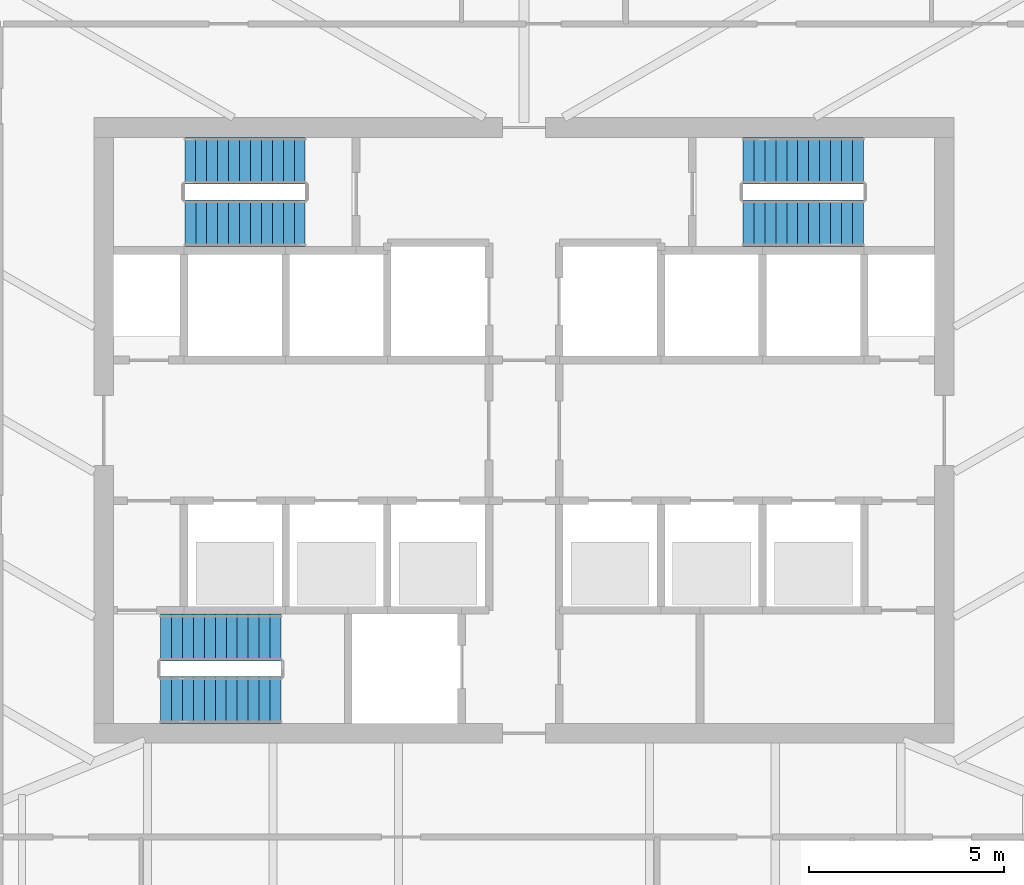
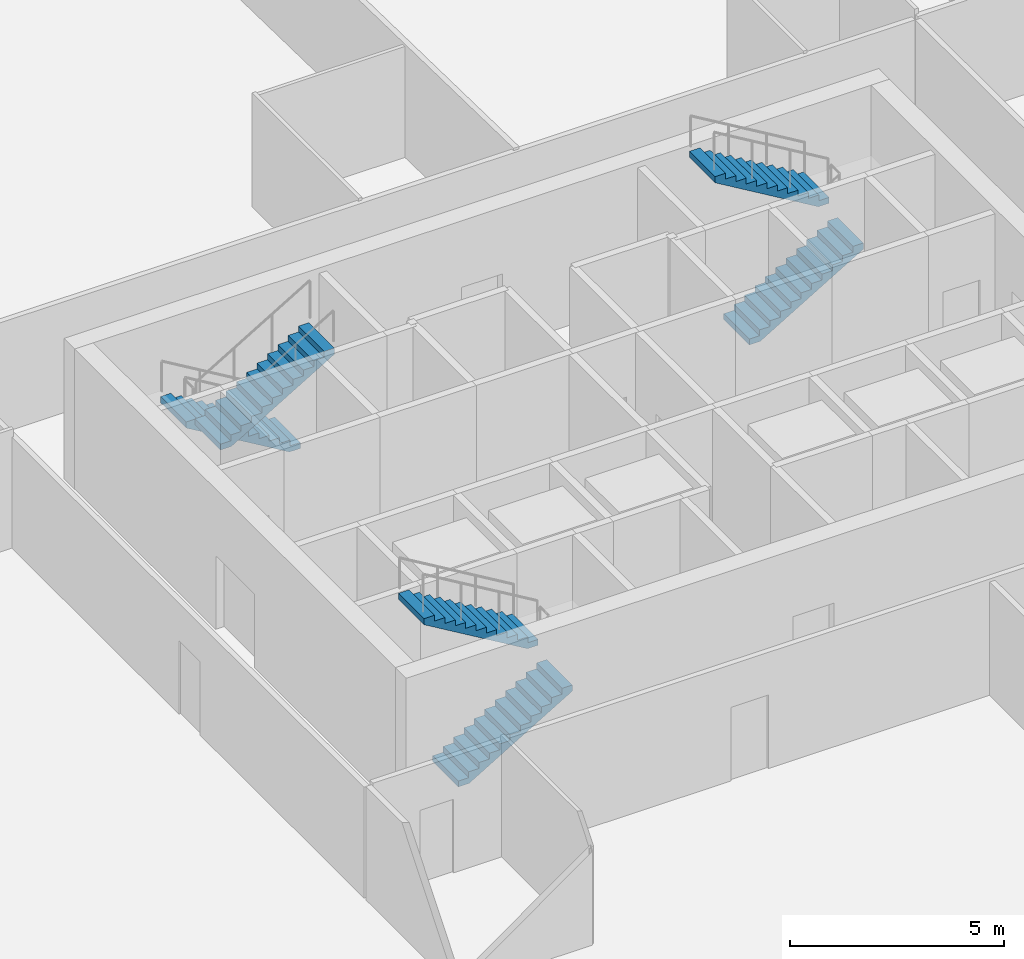
# One storey, part 12 of 20: 6 stair flights, 3 elements without a shape of their own.
"""IFC4 building model written with IfcOpenShell, lengths in metres."""

from ifc_helpers import new_model, si_unit, direction, frame, origin, place, context, subcontext, project, spatial, polyline, outline, extrude, material, type_object, element, aggregate, save


model = new_model("IFC4")

# Units and contexts
model_context = context("Model", 3, precision=1e-05, world=origin(), true_north=direction((0.0, 1.0)))
body_context = subcontext(model_context, "Body", "Model", "MODEL_VIEW")
ifc_project = project(units=[si_unit("LENGTHUNIT", "METRE"), si_unit("AREAUNIT", "SQUARE_METRE"), si_unit("VOLUMEUNIT", "CUBIC_METRE"), si_unit("PLANEANGLEUNIT", "RADIAN"), si_unit("MASSUNIT", "GRAM", prefix="KILO")], contexts=[model_context])

# Site, building, storey
site_placement = place(None, origin())
site = spatial("IfcSite", under=ifc_project, at=site_placement, CompositionType="ELEMENT")
building_placement = place(site_placement, origin())
building = spatial("IfcBuilding", under=site, at=building_placement, Name="Sierra Prisma Convention Tower", CompositionType="ELEMENT")
storey_placement = place(building_placement, frame((0.0, 0.0, 161.800048828125)))
storey = spatial("IfcBuildingStorey", under=building, at=storey_placement, Name="L35", CompositionType="ELEMENT", Elevation=161.800048828125)

# Stair, stair flights
ifc_material_1 = material(Name="Concrete C30/37", Category="concrete")
stair_type = type_object("IfcStairType", Name="Stair dog-leg 1200 RC", PredefinedType="HALF_TURN_STAIR", material=ifc_material_1)
stair_1_placement = place(storey_placement, origin())
stair_1 = element("IfcStair", 1, at=stair_1_placement, inside=storey, type_object=stair_type, Name="L35 S1", PredefinedType="HALF_TURN_STAIR")
ifc_material_2 = material(Name="Concrete C30/37", Category="concrete")
stair_flight_type = type_object("IfcStairFlightType", Name="Stair flight RC 1200", PredefinedType="STRAIGHT", material=ifc_material_2)
stair_flight_1_placement = place(storey_placement, frame((-9.300048828125, -6.89990234375, 0.0), z_axis=(0.0, 0.0, 1.0), x_axis=(1.0, 0.0, 0.0)))
stair_flight_1 = element("IfcStairFlight", 2, at=stair_flight_1_placement, type_object=stair_flight_type, Name="S1 flight 1", NumberOfRisers=12, NumberOfTreads=11, PredefinedType="STRAIGHT", RiserHeight=0.166666667, TreadLength=0.28, context=body_context, shape_type="SweptSolid", body=[
    extrude(outline(polyline([(0.0, 0.0), (0.0, 0.166748046875), (0.280029296875, 0.166748046875), (0.280029296875, 0.333251953125), (0.56005859375, 0.333251953125), (0.56005859375, 0.5), (0.840087890625, 0.5), (0.840087890625, 0.666748046875), (1.1201171875, 0.666748046875), (1.1201171875, 0.833251953125), (1.39990234375, 0.833251953125), (1.39990234375, 1.0), (1.679931640625, 1.0), (1.679931640625, 1.166748046875), (1.9599609375, 1.166748046875), (1.9599609375, 1.333251953125), (2.239990234375, 1.333251953125), (2.239990234375, 1.5), (2.52001953125, 1.5), (2.52001953125, 1.666748046875), (2.800048828125, 1.666748046875), (2.800048828125, 1.833251953125), (3.080078125, 1.833251953125), (3.080078125, 2.0), (3.080078125, 1.658935546875), (0.29296875, 0.0), (0.0, 0.0)])), frame((0.0, 0.60009765625, 0.0), z_axis=(0.0, -1.0, 0.0), x_axis=(1.0, 0.0, 0.0)), (0.0, 0.0, 1.0), 1.199951171875),
])
stair_flight_2_placement = place(storey_placement, frame((-6.219970703125, -5.300048828125, 2.0), z_axis=(0.0, 0.0, 1.0), x_axis=(-1.0, 0.0, 0.0)))
stair_flight_2 = element("IfcStairFlight", 3, at=stair_flight_2_placement, type_object=stair_flight_type, Name="S1 flight 2", NumberOfRisers=12, NumberOfTreads=11, PredefinedType="STRAIGHT", RiserHeight=0.166666667, TreadLength=0.28, context=body_context, shape_type="SweptSolid", body=[
    extrude(outline(polyline([(0.0, 0.0), (0.0, 0.166748046875), (0.280029296875, 0.166748046875), (0.280029296875, 0.333251953125), (0.56005859375, 0.333251953125), (0.56005859375, 0.5), (0.840087890625, 0.5), (0.840087890625, 0.666748046875), (1.1201171875, 0.666748046875), (1.1201171875, 0.833251953125), (1.39990234375, 0.833251953125), (1.39990234375, 1.0), (1.679931640625, 1.0), (1.679931640625, 1.166748046875), (1.9599609375, 1.166748046875), (1.9599609375, 1.333251953125), (2.239990234375, 1.333251953125), (2.239990234375, 1.5), (2.52001953125, 1.5), (2.52001953125, 1.666748046875), (2.800048828125, 1.666748046875), (2.800048828125, 1.833251953125), (3.080078125, 1.833251953125), (3.080078125, 2.0), (3.080078125, 1.658935546875), (0.29296875, 0.0), (0.0, 0.0)])), frame((0.0, 0.60009765625, 0.0), z_axis=(0.0, -1.0, 0.0), x_axis=(1.0, 0.0, 0.0)), (0.0, 0.0, 1.0), 1.199951171875),
])
aggregate(stair_1, [stair_flight_1, stair_flight_2])

stair_2_placement = place(storey_placement, origin())
stair_2 = element("IfcStair", 4, at=stair_2_placement, inside=storey, type_object=stair_type, Name="L35 S3", PredefinedType="HALF_TURN_STAIR")
stair_flight_3_placement = place(storey_placement, frame((-5.60009765625, 6.89990234375, 0.0), z_axis=(0.0, 0.0, 1.0), x_axis=(-1.0, 0.0, 0.0)))
stair_flight_3 = element("IfcStairFlight", 5, at=stair_flight_3_placement, type_object=stair_flight_type, Name="S3 flight 1", NumberOfRisers=12, NumberOfTreads=11, PredefinedType="STRAIGHT", RiserHeight=0.166666667, TreadLength=0.28, context=body_context, shape_type="SweptSolid", body=[
    extrude(outline(polyline([(0.0, 0.0), (0.0, 0.166748046875), (0.280029296875, 0.166748046875), (0.280029296875, 0.333251953125), (0.56005859375, 0.333251953125), (0.56005859375, 0.5), (0.840087890625, 0.5), (0.840087890625, 0.666748046875), (1.1201171875, 0.666748046875), (1.1201171875, 0.833251953125), (1.39990234375, 0.833251953125), (1.39990234375, 1.0), (1.679931640625, 1.0), (1.679931640625, 1.166748046875), (1.9599609375, 1.166748046875), (1.9599609375, 1.333251953125), (2.239990234375, 1.333251953125), (2.239990234375, 1.5), (2.52001953125, 1.5), (2.52001953125, 1.666748046875), (2.800048828125, 1.666748046875), (2.800048828125, 1.833251953125), (3.080078125, 1.833251953125), (3.080078125, 2.0), (3.080078125, 1.658935546875), (0.29296875, 0.0), (0.0, 0.0)])), frame((0.0, 0.60009765625, 0.0), z_axis=(0.0, -1.0, 0.0), x_axis=(1.0, 0.0, 0.0)), (0.0, 0.0, 1.0), 1.199951171875),
])
stair_flight_4_placement = place(storey_placement, frame((-8.679931640625, 5.300048828125, 2.0), z_axis=(0.0, 0.0, 1.0), x_axis=(1.0, 0.0, 0.0)))
stair_flight_4 = element("IfcStairFlight", 6, at=stair_flight_4_placement, type_object=stair_flight_type, Name="S3 flight 2", NumberOfRisers=12, NumberOfTreads=11, PredefinedType="STRAIGHT", RiserHeight=0.166666667, TreadLength=0.28, context=body_context, shape_type="SweptSolid", body=[
    extrude(outline(polyline([(0.0, 0.0), (0.0, 0.166748046875), (0.280029296875, 0.166748046875), (0.280029296875, 0.333251953125), (0.56005859375, 0.333251953125), (0.56005859375, 0.5), (0.840087890625, 0.5), (0.840087890625, 0.666748046875), (1.1201171875, 0.666748046875), (1.1201171875, 0.833251953125), (1.39990234375, 0.833251953125), (1.39990234375, 1.0), (1.679931640625, 1.0), (1.679931640625, 1.166748046875), (1.9599609375, 1.166748046875), (1.9599609375, 1.333251953125), (2.239990234375, 1.333251953125), (2.239990234375, 1.5), (2.52001953125, 1.5), (2.52001953125, 1.666748046875), (2.800048828125, 1.666748046875), (2.800048828125, 1.833251953125), (3.080078125, 1.833251953125), (3.080078125, 2.0), (3.080078125, 1.658935546875), (0.29296875, 0.0), (0.0, 0.0)])), frame((0.0, 0.60009765625, 0.0), z_axis=(0.0, -1.0, 0.0), x_axis=(1.0, 0.0, 0.0)), (0.0, 0.0, 1.0), 1.199951171875),
])
aggregate(stair_2, [stair_flight_3, stair_flight_4])

stair_3_placement = place(storey_placement, origin())
stair_3 = element("IfcStair", 7, at=stair_3_placement, inside=storey, type_object=stair_type, Name="L35 S4", PredefinedType="HALF_TURN_STAIR")
stair_flight_5_placement = place(storey_placement, frame((5.60009765625, 5.300048828125, 0.0), z_axis=(0.0, 0.0, 1.0), x_axis=(1.0, 0.0, 0.0)))
stair_flight_5 = element("IfcStairFlight", 8, at=stair_flight_5_placement, type_object=stair_flight_type, Name="S4 flight 1", NumberOfRisers=12, NumberOfTreads=11, PredefinedType="STRAIGHT", RiserHeight=0.166666667, TreadLength=0.28, context=body_context, shape_type="SweptSolid", body=[
    extrude(outline(polyline([(0.0, 0.0), (0.0, 0.166748046875), (0.280029296875, 0.166748046875), (0.280029296875, 0.333251953125), (0.56005859375, 0.333251953125), (0.56005859375, 0.5), (0.840087890625, 0.5), (0.840087890625, 0.666748046875), (1.1201171875, 0.666748046875), (1.1201171875, 0.833251953125), (1.39990234375, 0.833251953125), (1.39990234375, 1.0), (1.679931640625, 1.0), (1.679931640625, 1.166748046875), (1.9599609375, 1.166748046875), (1.9599609375, 1.333251953125), (2.239990234375, 1.333251953125), (2.239990234375, 1.5), (2.52001953125, 1.5), (2.52001953125, 1.666748046875), (2.800048828125, 1.666748046875), (2.800048828125, 1.833251953125), (3.080078125, 1.833251953125), (3.080078125, 2.0), (3.080078125, 1.658935546875), (0.29296875, 0.0), (0.0, 0.0)])), frame((0.0, 0.60009765625, 0.0), z_axis=(0.0, -1.0, 0.0), x_axis=(1.0, 0.0, 0.0)), (0.0, 0.0, 1.0), 1.199951171875),
])
stair_flight_6_placement = place(storey_placement, frame((8.679931640625, 6.89990234375, 2.0), z_axis=(0.0, 0.0, 1.0), x_axis=(-1.0, 0.0, 0.0)))
stair_flight_6 = element("IfcStairFlight", 9, at=stair_flight_6_placement, type_object=stair_flight_type, Name="S4 flight 2", NumberOfRisers=12, NumberOfTreads=11, PredefinedType="STRAIGHT", RiserHeight=0.166666667, TreadLength=0.28, context=body_context, shape_type="SweptSolid", body=[
    extrude(outline(polyline([(0.0, 0.0), (0.0, 0.166748046875), (0.280029296875, 0.166748046875), (0.280029296875, 0.333251953125), (0.56005859375, 0.333251953125), (0.56005859375, 0.5), (0.840087890625, 0.5), (0.840087890625, 0.666748046875), (1.1201171875, 0.666748046875), (1.1201171875, 0.833251953125), (1.39990234375, 0.833251953125), (1.39990234375, 1.0), (1.679931640625, 1.0), (1.679931640625, 1.166748046875), (1.9599609375, 1.166748046875), (1.9599609375, 1.333251953125), (2.239990234375, 1.333251953125), (2.239990234375, 1.5), (2.52001953125, 1.5), (2.52001953125, 1.666748046875), (2.800048828125, 1.666748046875), (2.800048828125, 1.833251953125), (3.080078125, 1.833251953125), (3.080078125, 2.0), (3.080078125, 1.658935546875), (0.29296875, 0.0), (0.0, 0.0)])), frame((0.0, 0.60009765625, 0.0), z_axis=(0.0, -1.0, 0.0), x_axis=(1.0, 0.0, 0.0)), (0.0, 0.0, 1.0), 1.199951171875),
])
aggregate(stair_3, [stair_flight_5, stair_flight_6])

save(model, "model.ifc")
